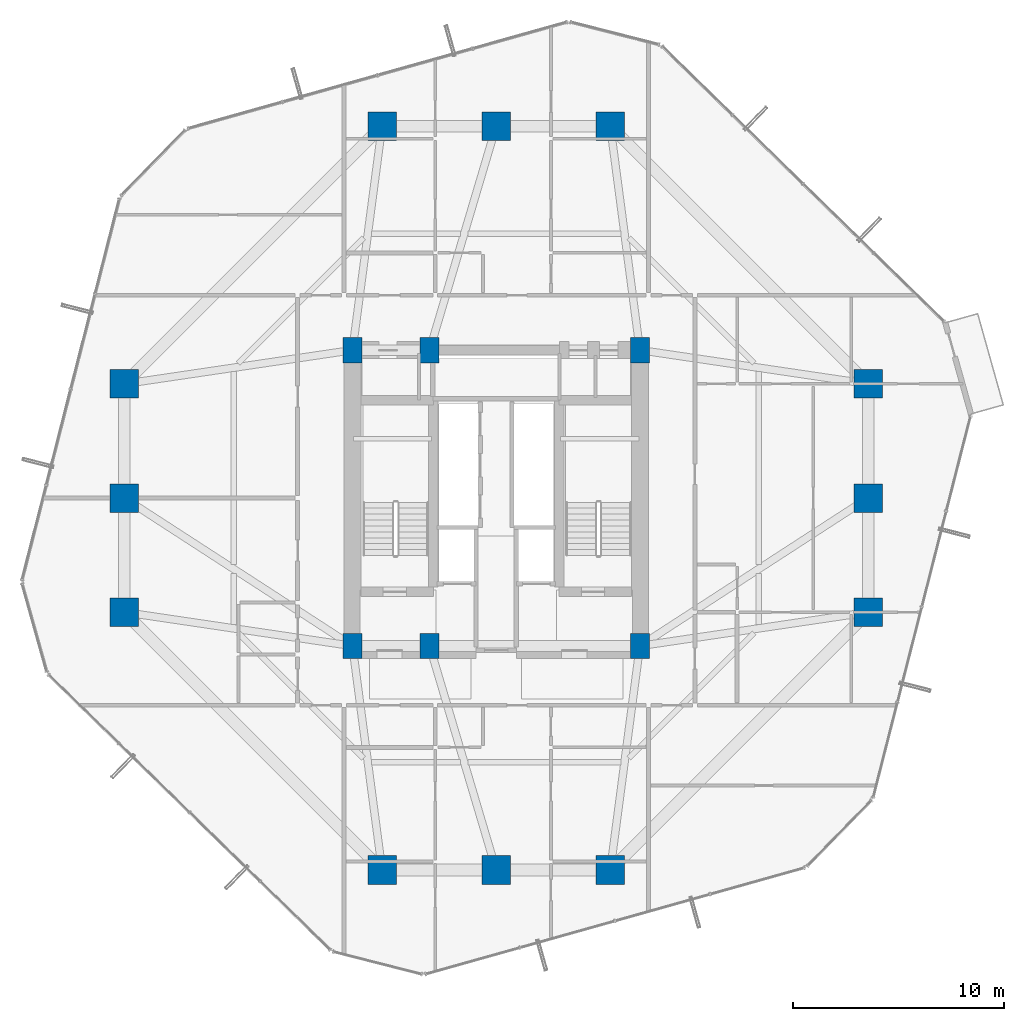
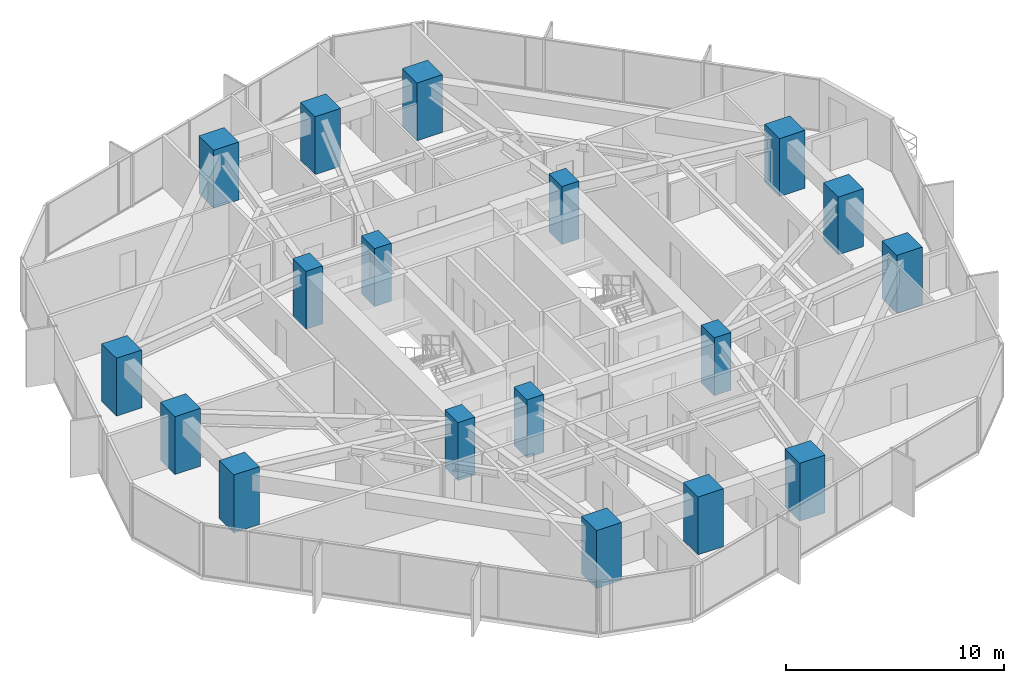
# One storey, part 1 of 39: 18 columns.
"""IFC4 building model written with IfcOpenShell, lengths in metres."""

from ifc_helpers import new_model, si_unit, direction, frame, origin, origin_2d, place, context, subcontext, project, spatial, rectangle, extrude, material, material_profile, profile_set, type_object, element, save


model = new_model("IFC4")

# Units and contexts
model_context = context("Model", 3, precision=1e-05, world=origin(), true_north=direction((0.0, 1.0)))
body_context = subcontext(model_context, "Body", "Model", "MODEL_VIEW")
ifc_project = project(units=[si_unit("LENGTHUNIT", "METRE"), si_unit("AREAUNIT", "SQUARE_METRE"), si_unit("VOLUMEUNIT", "CUBIC_METRE"), si_unit("PLANEANGLEUNIT", "RADIAN"), si_unit("MASSUNIT", "GRAM", prefix="KILO")], contexts=[model_context])

# Site, building, storey
site_placement = place(None, origin())
site = spatial("IfcSite", under=ifc_project, at=site_placement, CompositionType="ELEMENT")
building_placement = place(site_placement, origin())
building = spatial("IfcBuilding", under=site, at=building_placement, Name="Veraguas Prism Commons", CompositionType="ELEMENT")
storey_placement = place(building_placement, frame((0.0, 0.0, 77.10009765625)))
storey = spatial("IfcBuildingStorey", under=building, at=storey_placement, Name="L21", CompositionType="ELEMENT", Elevation=77.10009765625)

# Columns
ifc_material = material(Name="Concrete C60/75", Category="concrete")
ifc_material_profile_1 = material_profile(ifc_material, rectangle(XDim=1.35009765625, YDim=1.35009765625, at=origin_2d()), Name="RC1350X1350")
ifc_profile_set_1 = profile_set([ifc_material_profile_1], Name="Concrete C60/75")
column_type_1 = type_object("IfcColumnType", Name="Column Tube Z1 RC 1350x1350", PredefinedType="COLUMN", material=ifc_profile_set_1)
for number, where, z_axis, x_axis, name in (
    (1, (41.60009765625, 18.60009765625, 0.0), (0.0, 0.0, 1.0), (1.0, 0.0, 0.0), "Tower Perimeter Column L21-TB01"),
    (2, (41.60009765625, 24.0, 0.0), (0.0, 0.0, 1.0), (1.0, 0.0, 0.0), "Tower Perimeter Column L21-TB02"),
    (3, (41.60009765625, 29.39990234375, 0.0), (0.0, 0.0, 1.0), (1.0, 0.0, 0.0), "Tower Perimeter Column L21-TB03"),
    (4, (29.39990234375, 41.60009765625, 0.0), (0.0, 0.0, 1.0), (1.0, 0.0, 0.0), "Tower Perimeter Column L21-TB04"),
    (5, (24.0, 41.60009765625, 0.0), (0.0, 0.0, 1.0), (1.0, 0.0, 0.0), "Tower Perimeter Column L21-TB05"),
    (6, (18.60009765625, 41.60009765625, 0.0), (0.0, 0.0, 1.0), (1.0, 0.0, 0.0), "Tower Perimeter Column L21-TB06"),
    (7, (6.39990234375, 29.39990234375, 0.0), (0.0, 0.0, 1.0), (1.0, 0.0, 0.0), "Tower Perimeter Column L21-TB07"),
    (8, (6.39990234375, 24.0, 0.0), (0.0, 0.0, 1.0), (1.0, 0.0, 0.0), "Tower Perimeter Column L21-TB08"),
    (9, (6.39990234375, 18.60009765625, 0.0), (0.0, 0.0, 1.0), (1.0, 0.0, 0.0), "Tower Perimeter Column L21-TB09"),
    (10, (18.60009765625, 6.39990234375, 0.0), (0.0, 0.0, 1.0), (1.0, 0.0, 0.0), "Tower Perimeter Column L21-TB10"),
    (11, (24.0, 6.39990234375, 0.0), (0.0, 0.0, 1.0), (1.0, 0.0, 0.0), "Tower Perimeter Column L21-TB11"),
    (12, (29.39990234375, 6.39990234375, 0.0), (0.0, 0.0, 1.0), (1.0, 0.0, 0.0), "Tower Perimeter Column L21-TB12"),
):
    element("IfcColumn", number, at=place(storey_placement, frame(where, z_axis=z_axis, x_axis=x_axis)), inside=storey, type_object=column_type_1, Name=name, PredefinedType="COLUMN", context=body_context, shape_type="SweptSolid", body=[
        extrude(rectangle(XDim=1.35009765625, YDim=1.35009765625, at=origin_2d()), origin(), (0.0, 0.0, 1.0), 3.25),
    ])
ifc_material_profile_2 = material_profile(ifc_material, rectangle(XDim=0.89990234375, YDim=1.199951171875, at=origin_2d()), Name="RC900X1200")
ifc_profile_set_2 = profile_set([ifc_material_profile_2], Name="Concrete C60/75")
column_type_2 = type_object("IfcColumnType", Name="Pilaster Core Lower RC 900x1200", PredefinedType="PILASTER", material=ifc_profile_set_2)
for number, where, z_axis, x_axis, name in (
    (13, (17.199951171875, 17.0, 0.0), (0.0, 0.0, 1.0), (1.0, 0.0, 0.0), "Core Pilaster Column L21-CR1"),
    (14, (20.85009765625, 17.0, 0.0), (0.0, 0.0, 1.0), (1.0, 0.0, 0.0), "Core Pilaster Column L21-CR2"),
    (15, (30.800048828125, 17.0, 0.0), (0.0, 0.0, 1.0), (1.0, 0.0, 0.0), "Core Pilaster Column L21-CR3"),
    (16, (17.199951171875, 31.0, 0.0), (0.0, 0.0, 1.0), (1.0, 0.0, 0.0), "Core Pilaster Column L21-CR4"),
    (17, (20.85009765625, 31.0, 0.0), (0.0, 0.0, 1.0), (1.0, 0.0, 0.0), "Core Pilaster Column L21-CR5"),
    (18, (30.800048828125, 31.0, 0.0), (0.0, 0.0, 1.0), (1.0, 0.0, 0.0), "Core Pilaster Column L21-CR6"),
):
    element("IfcColumn", number, at=place(storey_placement, frame(where, z_axis=z_axis, x_axis=x_axis)), inside=storey, type_object=column_type_2, Name=name, PredefinedType="PILASTER", context=body_context, shape_type="SweptSolid", body=[
        extrude(rectangle(XDim=0.89990234375, YDim=1.199951171875, at=origin_2d()), origin(), (0.0, 0.0, 1.0), 3.25),
    ])

save(model, "model.ifc")
